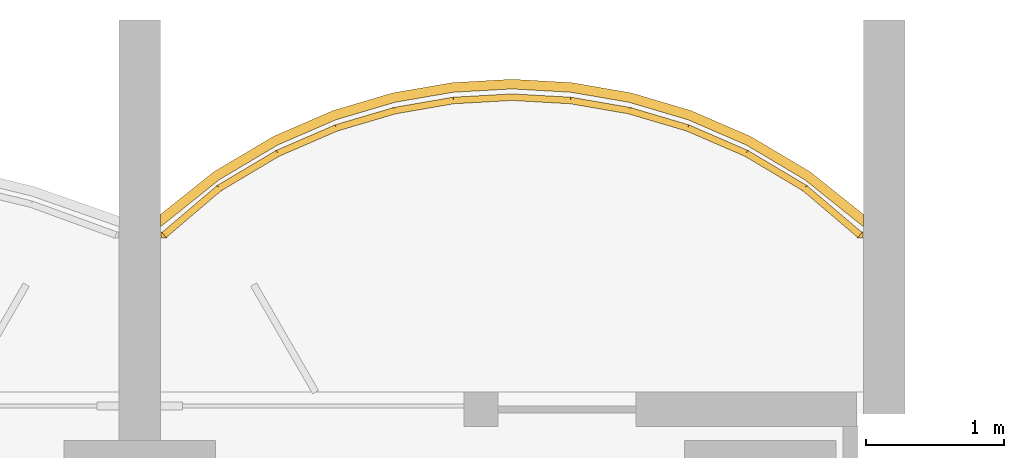
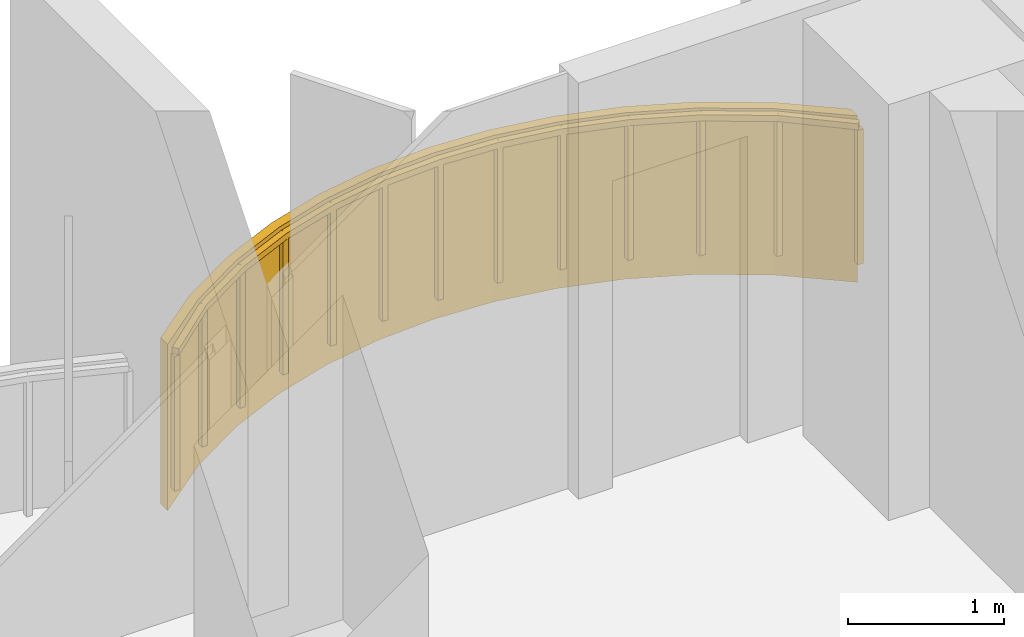
# One storey, part 19 of 19: 1 covering, 1 railing.
"""IFC4 building model written with IfcOpenShell, lengths in metres."""

from ifc_helpers import new_model, si_unit, direction, frame, origin, origin_2d, place, context, subcontext, project, spatial, polyline, rectangle, outline, extrude, material, layer, layer_set, type_object, element, save


model = new_model("IFC4")

# Units and contexts
model_context = context("Model", 3, precision=1e-05, world=origin(), true_north=direction((0.0, 1.0)))
body_context = subcontext(model_context, "Body", "Model", "MODEL_VIEW")
ifc_project = project(units=[si_unit("LENGTHUNIT", "METRE"), si_unit("AREAUNIT", "SQUARE_METRE"), si_unit("VOLUMEUNIT", "CUBIC_METRE"), si_unit("PLANEANGLEUNIT", "RADIAN"), si_unit("MASSUNIT", "GRAM", prefix="KILO")], contexts=[model_context])

# Site, building, storey
site_placement = place(None, origin())
site = spatial("IfcSite", under=ifc_project, at=site_placement, CompositionType="ELEMENT")
building_placement = place(site_placement, origin())
building = spatial("IfcBuilding", under=site, at=building_placement, Name="Perihelion Cross Residences", CompositionType="ELEMENT")
storey_placement = place(building_placement, frame((0.0, 0.0, 112.89990234375)))
storey = spatial("IfcBuildingStorey", under=building, at=storey_placement, Name="L26", CompositionType="ELEMENT", Elevation=112.89990234375)

# Covering
ifc_material_1 = material(Name="Bronze anodised aluminium", Category="aluminium")
ifc_layer = layer(ifc_material_1, 0.070068359375)
ifc_layer_set = layer_set([ifc_layer], Name="Balcony fascia 1300")
covering_type = type_object("IfcCoveringType", Name="Balcony fascia 1300", PredefinedType="CLADDING", material=ifc_layer_set)
covering_placement = place(storey_placement, frame((0.0, 0.0, -0.199951171875)))
element("IfcCovering", 1, at=covering_placement, inside=storey, type_object=covering_type, Name="Fascia BF1 L26 north tip north bay 1", PredefinedType="CLADDING", context=body_context, shape_type="SweptSolid", body=[
    extrude(outline(polyline([(4.86474609375, 28.59765625), (4.431884765625, 28.85498046875), (3.998779296875, 29.04248046875), (3.56591796875, 29.170654296875), (3.133056640625, 29.245361328125), (2.699951171875, 29.27001953125), (2.26708984375, 29.245361328125), (1.833984375, 29.170654296875), (1.401123046875, 29.04248046875), (0.96826171875, 28.85498046875), (0.53515625, 28.59765625), (0.14990234375, 28.28955078125), (0.14990234375, 28.199951171875), (0.574951171875, 28.5400390625), (1.0, 28.792724609375), (1.425048828125, 28.9765625), (1.85009765625, 29.1025390625), (2.27490234375, 29.17578125), (2.699951171875, 29.199951171875), (3.125, 29.17578125), (3.550048828125, 29.1025390625), (3.97509765625, 28.9765625), (4.39990234375, 28.792724609375), (4.824951171875, 28.5400390625), (5.25, 28.199951171875), (5.25, 28.28955078125), (4.86474609375, 28.59765625)])), origin(), (0.0, 0.0, 1.0), 1.300048828125),
])

# Railing
ifc_material_2 = material(Name="Bronze anodised aluminium", Category="aluminium")
railing_type = type_object("IfcRailingType", Name="Balcony guard 1100", PredefinedType="GUARDRAIL", material=ifc_material_2)
railing_placement = place(storey_placement, frame((5.22509765625, 28.139892578125, 0.0)))
element("IfcRailing", 2, at=railing_placement, inside=storey, type_object=railing_type, Name="Guard GU1 L26 north tip north bay 1 balcony", PredefinedType="GUARDRAIL", context=body_context, shape_type="SweptSolid", body=[
    extrude(rectangle(XDim=0.048095703125, YDim=0.048095703125, at=origin_2d()), frame((0.0, 0.0, 1.076171875), z_axis=(-0.761973728849, 0.647607934281, 0.0), x_axis=(-0.647607934281, -0.761973728849, 0.0)), (0.0, 0.0, 1.0), 0.525146484375),
    extrude(rectangle(XDim=0.048095703125, YDim=0.048095703125, at=origin_2d()), frame((-0.400146484375, 0.340087890625, 1.076171875), z_axis=(-0.859576918062, 0.511006381501, 0.0), x_axis=(-0.511006381501, -0.859576918062, 0.0)), (0.0, 0.0, 1.0), 0.494384765625),
    extrude(rectangle(XDim=0.048095703125, YDim=0.048095703125, at=origin_2d()), frame((-0.8251953125, 0.5927734375, 1.076171875), z_axis=(-0.91755562531, 0.397607437634, 0.0), x_axis=(-0.397607437634, -0.91755562531, 0.0)), (0.0, 0.0, 1.0), 0.462890625),
    extrude(rectangle(XDim=0.048095703125, YDim=0.048095703125, at=origin_2d()), frame((-1.25, 0.77685546875, 1.076171875), z_axis=(-0.958925815697, 0.283656975924, 0.0), x_axis=(-0.283656975924, -0.958925815697, 0.0)), (0.0, 0.0, 1.0), 0.443359375),
    extrude(rectangle(XDim=0.048095703125, YDim=0.048095703125, at=origin_2d()), frame((-1.675048828125, 0.902587890625, 1.076171875), z_axis=(-0.985381583142, 0.17036177859, 0.0), x_axis=(-0.17036177859, -0.985381583142, 0.0)), (0.0, 0.0, 1.0), 0.431396484375),
    extrude(rectangle(XDim=0.048095703125, YDim=0.048095703125, at=origin_2d()), frame((-2.10009765625, 0.97607421875, 1.076171875), z_axis=(-0.9984195016, 0.056200523353, 0.0), x_axis=(-0.056200523353, -0.9984195016, 0.0)), (0.0, 0.0, 1.0), 0.42578125),
    extrude(rectangle(XDim=0.048095703125, YDim=0.048095703125, at=origin_2d()), frame((-2.525146484375, 1.0, 1.076171875), z_axis=(-0.9984195016, -0.056200523353, 0.0), x_axis=(0.056200523353, -0.9984195016, 0.0)), (0.0, 0.0, 1.0), 0.42578125),
    extrude(rectangle(XDim=0.048095703125, YDim=0.048095703125, at=origin_2d()), frame((-2.9501953125, 0.97607421875, 1.076171875), z_axis=(-0.985365142702, -0.170456843651, 0.0), x_axis=(0.170456843651, -0.985365142702, 0.0)), (0.0, 0.0, 1.0), 0.43115234375),
    extrude(rectangle(XDim=0.048095703125, YDim=0.048095703125, at=origin_2d()), frame((-3.375, 0.902587890625, 1.076171875), z_axis=(-0.958925815697, -0.283656975924, 0.0), x_axis=(0.283656975924, -0.958925815697, 0.0)), (0.0, 0.0, 1.0), 0.443359375),
    extrude(rectangle(XDim=0.048095703125, YDim=0.048095703125, at=origin_2d()), frame((-3.800048828125, 0.77685546875, 1.076171875), z_axis=(-0.917638931453, -0.397415137459, 0.0), x_axis=(0.397415137459, -0.917638931453, 0.0)), (0.0, 0.0, 1.0), 0.463134765625),
    extrude(rectangle(XDim=0.048095703125, YDim=0.048095703125, at=origin_2d()), frame((-4.22509765625, 0.5927734375, 1.076171875), z_axis=(-0.859576918062, -0.511006381501, 0.0), x_axis=(0.511006381501, -0.859576918062, 0.0)), (0.0, 0.0, 1.0), 0.494384765625),
    extrude(rectangle(XDim=0.048095703125, YDim=0.048095703125, at=origin_2d()), frame((-4.650146484375, 0.340087890625, 1.076171875), z_axis=(-0.761778647315, -0.647837396648, 0.0), x_axis=(0.647837396648, -0.761778647315, 0.0)), (0.0, 0.0, 1.0), 0.52490234375),
    extrude(rectangle(XDim=0.0419921875, YDim=0.0419921875, at=origin_2d()), origin(), (0.0, 0.0, 1.0), 1.052001953125),
    extrude(rectangle(XDim=0.0419921875, YDim=0.0419921875, at=origin_2d()), frame((-0.400146484375, 0.340087890625, 0.0)), (0.0, 0.0, 1.0), 1.052001953125),
    extrude(rectangle(XDim=0.0419921875, YDim=0.0419921875, at=origin_2d()), frame((-0.8251953125, 0.5927734375, 0.0)), (0.0, 0.0, 1.0), 1.052001953125),
    extrude(rectangle(XDim=0.0419921875, YDim=0.0419921875, at=origin_2d()), frame((-1.25, 0.77685546875, 0.0)), (0.0, 0.0, 1.0), 1.052001953125),
    extrude(rectangle(XDim=0.0419921875, YDim=0.0419921875, at=origin_2d()), frame((-1.675048828125, 0.902587890625, 0.0)), (0.0, 0.0, 1.0), 1.052001953125),
    extrude(rectangle(XDim=0.0419921875, YDim=0.0419921875, at=origin_2d()), frame((-2.10009765625, 0.97607421875, 0.0)), (0.0, 0.0, 1.0), 1.052001953125),
    extrude(rectangle(XDim=0.0419921875, YDim=0.0419921875, at=origin_2d()), frame((-2.525146484375, 1.0, 0.0)), (0.0, 0.0, 1.0), 1.052001953125),
    extrude(rectangle(XDim=0.0419921875, YDim=0.0419921875, at=origin_2d()), frame((-2.9501953125, 0.97607421875, 0.0)), (0.0, 0.0, 1.0), 1.052001953125),
    extrude(rectangle(XDim=0.0419921875, YDim=0.0419921875, at=origin_2d()), frame((-3.375, 0.902587890625, 0.0)), (0.0, 0.0, 1.0), 1.052001953125),
    extrude(rectangle(XDim=0.0419921875, YDim=0.0419921875, at=origin_2d()), frame((-3.800048828125, 0.77685546875, 0.0)), (0.0, 0.0, 1.0), 1.052001953125),
    extrude(rectangle(XDim=0.0419921875, YDim=0.0419921875, at=origin_2d()), frame((-4.22509765625, 0.5927734375, 0.0)), (0.0, 0.0, 1.0), 1.052001953125),
    extrude(rectangle(XDim=0.0419921875, YDim=0.0419921875, at=origin_2d()), frame((-4.650146484375, 0.340087890625, 0.0)), (0.0, 0.0, 1.0), 1.052001953125),
    extrude(rectangle(XDim=0.0419921875, YDim=0.0419921875, at=origin_2d()), frame((-5.050048828125, 0.0, 0.0)), (0.0, 0.0, 1.0), 1.052001953125),
])

save(model, "model.ifc")
